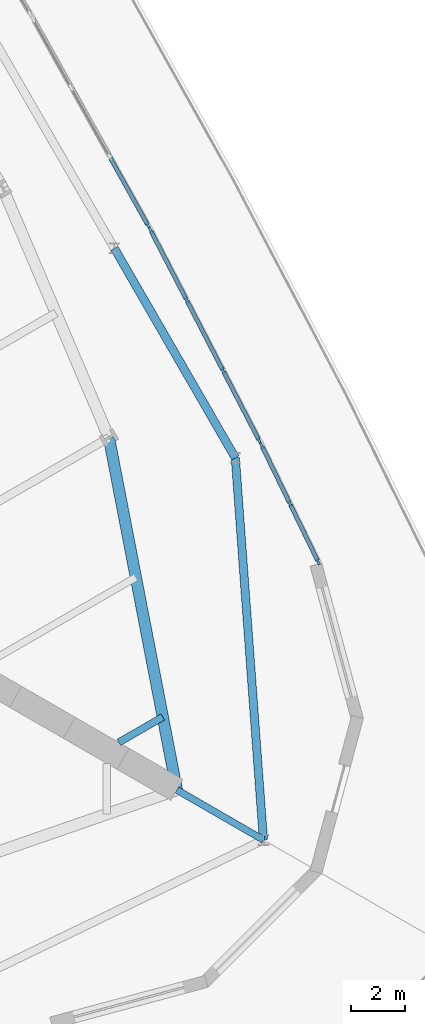
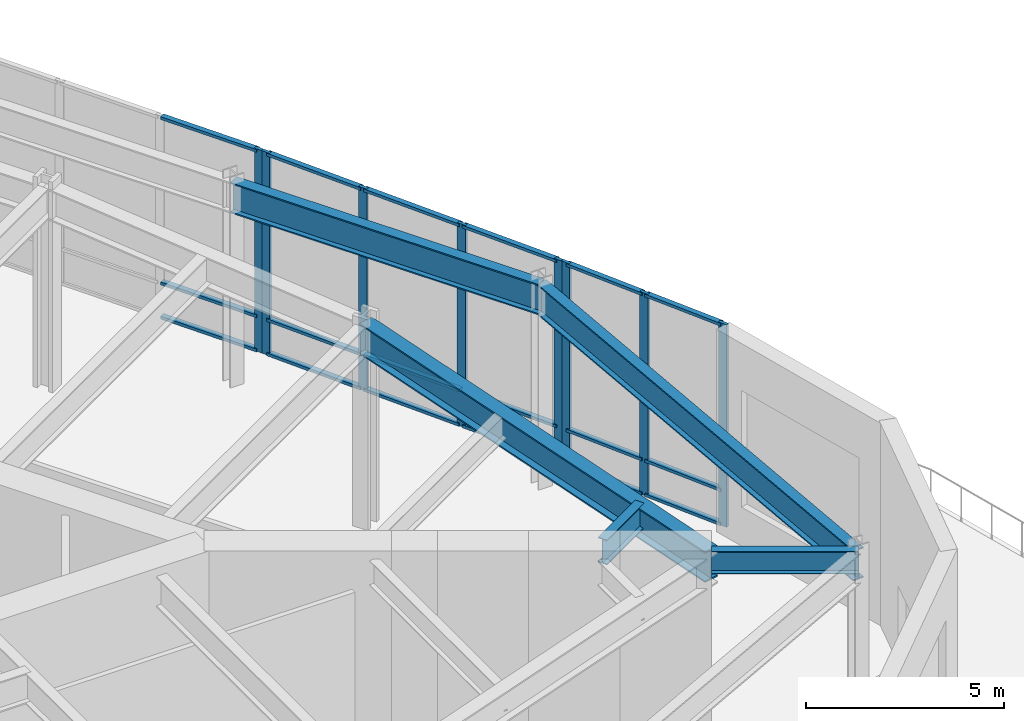
# One storey, part 8 of 19: 26 members, 5 beams, 3 elements without a shape of their own.
"""IFC4 building model written with IfcOpenShell, lengths in metres."""

from ifc_helpers import new_model, si_unit, direction, frame, origin, origin_2d, place, context, subcontext, project, spatial, rectangle, i_section, extrude, material, material_profile, profile_set, type_object, element, aggregate, save


model = new_model("IFC4")

# Units and contexts
model_context = context("Model", 3, precision=1e-05, world=origin(), true_north=direction((0.0, 1.0)))
body_context = subcontext(model_context, "Body", "Model", "MODEL_VIEW")
ifc_project = project(units=[si_unit("LENGTHUNIT", "METRE"), si_unit("AREAUNIT", "SQUARE_METRE"), si_unit("VOLUMEUNIT", "CUBIC_METRE"), si_unit("PLANEANGLEUNIT", "RADIAN"), si_unit("MASSUNIT", "GRAM", prefix="KILO")], contexts=[model_context])

# Site, building, storey
site_placement = place(None, origin())
site = spatial("IfcSite", under=ifc_project, at=site_placement, CompositionType="ELEMENT")
building_placement = place(site_placement, origin())
building = spatial("IfcBuilding", under=site, at=building_placement, Name="Trikona Tower", CompositionType="ELEMENT")
storey_placement = place(building_placement, frame((0.0, 0.0, 11.0)))
storey = spatial("IfcBuildingStorey", under=building, at=storey_placement, Name="L02", CompositionType="ELEMENT", Elevation=11.0)

# Curtain wall, members
ifc_material_1 = material(Name="Aluminium curtain wall system", Category="aluminium")
curtain_wall_type = type_object("IfcCurtainWallType", Name="Curtain wall PD", PredefinedType="NOTDEFINED", material=ifc_material_1)
curtain_wall_1_placement = place(storey_placement, origin())
curtain_wall_1 = element("IfcCurtainWall", 1, at=curtain_wall_1_placement, inside=storey, type_object=curtain_wall_type, Name="Curtain wall PD L02", PredefinedType="NOTDEFINED")
ifc_material_2 = material(Name="Aluminium mullion, pale anodised", Category="aluminium")
ifc_material_profile_1 = material_profile(ifc_material_2, rectangle(XDim=0.090087890625, YDim=0.25, at=origin_2d()), Name="MUL-PD")
ifc_profile_set_1 = profile_set([ifc_material_profile_1], Name="Aluminium mullion, pale anodised")
member_type_1 = type_object("IfcMemberType", Name="Mullion PD 90x250", PredefinedType="MULLION", material=ifc_profile_set_1)
member_1_placement = place(storey_placement, frame((32.864013671875, -7.454833984375, 0.0), z_axis=(0.0, 0.0, 1.0), x_axis=(-0.899398658731, -0.437129331746, 0.0)))
member_1 = element("IfcMember", 2, at=member_1_placement, type_object=member_type_1, Name="CW-PD mullion 1", PredefinedType="MULLION", context=body_context, shape_type="SweptSolid", body=[
    extrude(rectangle(XDim=0.090087890625, YDim=0.25, at=origin_2d()), origin(), (0.0, 0.0, 1.0), 6.25),
])
member_2_placement = place(storey_placement, frame((31.814453125, -5.295166015625, 0.0), z_axis=(0.0, 0.0, 1.0), x_axis=(-0.899398658731, -0.437129331746, 0.0)))
member_2 = element("IfcMember", 3, at=member_2_placement, type_object=member_type_1, Name="CW-PD mullion 2", PredefinedType="MULLION", context=body_context, shape_type="SweptSolid", body=[
    extrude(rectangle(XDim=0.090087890625, YDim=0.25, at=origin_2d()), origin(), (0.0, 0.0, 1.0), 6.25),
])
member_3_placement = place(storey_placement, frame((30.764892578125, -3.13525390625, 0.0), z_axis=(0.0, 0.0, 1.0), x_axis=(-0.899398658731, -0.437129331746, 0.0)))
member_3 = element("IfcMember", 4, at=member_3_placement, type_object=member_type_1, Name="CW-PD mullion 3", PredefinedType="MULLION", context=body_context, shape_type="SweptSolid", body=[
    extrude(rectangle(XDim=0.090087890625, YDim=0.25, at=origin_2d()), origin(), (0.0, 0.0, 1.0), 6.25),
])

curtain_wall_2_placement = place(storey_placement, origin())
curtain_wall_2 = element("IfcCurtainWall", 5, at=curtain_wall_2_placement, inside=storey, type_object=curtain_wall_type, Name="Curtain wall PD L02", PredefinedType="NOTDEFINED")
member_4_placement = place(storey_placement, frame((30.671630859375, -2.94970703125, 0.0), z_axis=(0.0, 0.0, 1.0), x_axis=(-0.88852451172, -0.458829153469, 0.0)))
member_4 = element("IfcMember", 6, at=member_4_placement, type_object=member_type_1, Name="CW-PD mullion 1", PredefinedType="MULLION", context=body_context, shape_type="SweptSolid", body=[
    extrude(rectangle(XDim=0.090087890625, YDim=0.25, at=origin_2d()), origin(), (0.0, 0.0, 1.0), 6.25),
])
member_5_placement = place(storey_placement, frame((29.332763671875, -0.356689453125, 0.0), z_axis=(0.0, 0.0, 1.0), x_axis=(-0.88852451172, -0.458829153469, 0.0)))
member_5 = element("IfcMember", 7, at=member_5_placement, type_object=member_type_1, Name="CW-PD mullion 2", PredefinedType="MULLION", context=body_context, shape_type="SweptSolid", body=[
    extrude(rectangle(XDim=0.090087890625, YDim=0.25, at=origin_2d()), origin(), (0.0, 0.0, 1.0), 6.25),
])
member_6_placement = place(storey_placement, frame((27.97314453125, 2.276123046875, 0.0), z_axis=(0.0, 0.0, 1.0), x_axis=(-0.88852451172, -0.458829153469, 0.0)))
member_6 = element("IfcMember", 8, at=member_6_placement, type_object=member_type_1, Name="CW-PD mullion 3", PredefinedType="MULLION", context=body_context, shape_type="SweptSolid", body=[
    extrude(rectangle(XDim=0.090087890625, YDim=0.25, at=origin_2d()), origin(), (0.0, 0.0, 1.0), 6.25),
])
member_7_placement = place(storey_placement, frame((26.634033203125, 4.869140625, 0.0), z_axis=(0.0, 0.0, 1.0), x_axis=(-0.88852451172, -0.458829153469, 0.0)))
member_7 = element("IfcMember", 9, at=member_7_placement, type_object=member_type_1, Name="CW-PD mullion 4", PredefinedType="MULLION", context=body_context, shape_type="SweptSolid", body=[
    extrude(rectangle(XDim=0.090087890625, YDim=0.25, at=origin_2d()), origin(), (0.0, 0.0, 1.0), 6.25),
])

# Curtain wall, member
curtain_wall_3_placement = place(storey_placement, origin())
curtain_wall_3 = element("IfcCurtainWall", 10, at=curtain_wall_3_placement, inside=storey, type_object=curtain_wall_type, Name="Curtain wall PD L02", PredefinedType="NOTDEFINED")
member_8_placement = place(storey_placement, frame((26.5361328125, 5.051513671875, 0.0), z_axis=(0.0, 0.0, 1.0), x_axis=(-0.873743206518, -0.486387509156, 0.0)))
member_8 = element("IfcMember", 11, at=member_8_placement, type_object=member_type_1, Name="CW-PD mullion 1", PredefinedType="MULLION", context=body_context, shape_type="SweptSolid", body=[
    extrude(rectangle(XDim=0.090087890625, YDim=0.25, at=origin_2d()), origin(), (0.0, 0.0, 1.0), 6.25),
])

# Beams
ifc_material_3 = material(Name="Steel ASTM A992 Grade 50", Category="steel")
ifc_material_profile_2 = material_profile(ifc_material_3, i_section(OverallWidth=0.25390625, OverallDepth=0.683349609375, WebThickness=0.012451171875, FlangeThickness=0.01904296875, at=origin_2d()), Name="W27X94")
ifc_profile_set_2 = profile_set([ifc_material_profile_2], Name="Steel ASTM A992 Grade 50")
beam_type_1 = type_object("IfcBeamType", Name="Steel beam W27x94 (pod radial)", PredefinedType="BEAM", material=ifc_profile_set_2)
beam_1_placement = place(storey_placement, frame((27.612060546875, -15.94189453125, 5.908447265625), z_axis=(0.866031337506, -0.499989722352, 0.0), x_axis=(0.499989722352, 0.866031337506, 0.0)))
element("IfcBeam", 12, at=beam_1_placement, inside=storey, type_object=beam_type_1, Name="Podium beam L03 RKK0D35.6", PredefinedType="BEAM", context=body_context, shape_type="SweptSolid", body=[
    extrude(i_section(OverallWidth=0.25390625, OverallDepth=0.683349609375, WebThickness=0.012451171875, FlangeThickness=0.01904296875, at=origin_2d()), origin(), (0.0, 0.0, 1.0), 3.71630859375),
])
ifc_material_4 = material(Name="Steel ASTM A992 Grade 50", Category="steel")
ifc_material_profile_3 = material_profile(ifc_material_4, i_section(OverallWidth=0.2666015625, OverallDepth=0.76953125, WebThickness=0.015625, FlangeThickness=0.025390625, at=origin_2d()), Name="W30X132")
ifc_profile_set_3 = profile_set([ifc_material_profile_3], Name="Steel ASTM A992 Grade 50")
beam_type_2 = type_object("IfcBeamType", Name="Steel beam W30x132 (wedge)", PredefinedType="BEAM", material=ifc_profile_set_3)
beam_2_placement = place(storey_placement, frame((25.449951171875, -14.173828125, 5.865234375), z_axis=(0.866065156741, 0.499931139538, 0.0), x_axis=(-0.499931139538, 0.866065156741, 0.0)))
element("IfcBeam", 13, at=beam_2_placement, inside=storey, type_object=beam_type_2, Name="Floor beam L03 F2 u-25", PredefinedType="BEAM", context=body_context, shape_type="SweptSolid", body=[
    extrude(i_section(OverallWidth=0.2666015625, OverallDepth=0.76953125, WebThickness=0.015625, FlangeThickness=0.025390625, at=origin_2d()), origin(), (0.0, 0.0, 1.0), 1.890380859375),
])
ifc_material_5 = material(Name="Steel ASTM A992 Grade 50", Category="steel")
ifc_material_profile_4 = material_profile(ifc_material_5, i_section(OverallWidth=0.307373046875, OverallDepth=0.9423828125, WebThickness=0.022216796875, FlangeThickness=0.039794921875, at=origin_2d()), Name="W36X232")
ifc_profile_set_4 = profile_set([ifc_material_profile_4], Name="Steel ASTM A992 Grade 50")
beam_type_3 = type_object("IfcBeamType", Name="Steel beam W36x232 (ballroom)", PredefinedType="BEAM", material=ifc_profile_set_4)
beam_3_placement = place(storey_placement, frame((29.78466796875, -3.58837890625, 5.77880859375), z_axis=(-0.5000018851, 0.866024315419, 0.0), x_axis=(-0.866024315419, -0.5000018851, 0.0)))
element("IfcBeam", 14, at=beam_3_placement, inside=storey, type_object=beam_type_3, Name="Podium beam L03 GR24F1m18-R24F1m9", PredefinedType="BEAM", context=body_context, shape_type="SweptSolid", body=[
    extrude(i_section(OverallWidth=0.307373046875, OverallDepth=0.9423828125, WebThickness=0.022216796875, FlangeThickness=0.039794921875, at=origin_2d()), origin(), (0.0, 0.0, 1.0), 9.0),
])
beam_4_placement = place(storey_placement, frame((30.83056640625, -17.800048828125, 5.77880859375), z_axis=(-0.073395845647, 0.997302887714, 0.0), x_axis=(-0.997302887714, -0.073395845647, 0.0)))
element("IfcBeam", 15, at=beam_4_placement, inside=storey, type_object=beam_type_3, Name="Podium beam L03 CK0D35.6-R24F1m18", PredefinedType="BEAM", context=body_context, shape_type="SweptSolid", body=[
    extrude(i_section(OverallWidth=0.307373046875, OverallDepth=0.9423828125, WebThickness=0.022216796875, FlangeThickness=0.039794921875, at=origin_2d()), origin(), (0.0, 0.0, 1.0), 14.25),
])
ifc_material_6 = material(Name="Steel ASTM A992 Grade 50", Category="steel")
ifc_material_profile_5 = material_profile(ifc_material_6, i_section(OverallWidth=0.424072265625, OverallDepth=0.947509765625, WebThickness=0.02392578125, FlangeThickness=0.042724609375, at=origin_2d()), Name="W36X302")
ifc_profile_set_5 = profile_set([ifc_material_profile_5], Name="Steel ASTM A992 Grade 50")
beam_type_4 = type_object("IfcBeamType", Name="Steel beam W36x302 (pod tower spandrel)", PredefinedType="BEAM", material=ifc_profile_set_5)
beam_5_placement = place(storey_placement, frame((27.6103515625, -15.94091796875, 5.7763671875), z_axis=(-0.189405184036, 0.981899015307, 0.0), x_axis=(-0.981899015307, -0.189405184036, 0.0)))
element("IfcBeam", 16, at=beam_5_placement, inside=storey, type_object=beam_type_4, Name="Spandrel beam L03 F2-1", PredefinedType="BEAM", context=body_context, shape_type="SweptSolid", body=[
    extrude(i_section(OverallWidth=0.424072265625, OverallDepth=0.947509765625, WebThickness=0.02392578125, FlangeThickness=0.042724609375, at=origin_2d()), origin(), (0.0, 0.0, 1.0), 13.343505859375),
])

# Member
ifc_material_7 = material(Name="Aluminium transom, pale anodised", Category="aluminium")
ifc_material_profile_6 = material_profile(ifc_material_7, rectangle(XDim=0.14990234375, YDim=0.090087890625, at=origin_2d()), Name="TRN-PD")
ifc_profile_set_6 = profile_set([ifc_material_profile_6], Name="Aluminium transom, pale anodised")
member_type_2 = type_object("IfcMemberType", Name="Transom PD 90x150", PredefinedType="USERDEFINED", material=ifc_profile_set_6)
member_9_placement = place(storey_placement, frame((32.844482421875, -7.414306640625, 0.044921875), z_axis=(-0.437128621006, 0.899399004167, 0.0), x_axis=(-0.899399004167, -0.437128621006, 0.0)))
member_9 = element("IfcMember", 17, at=member_9_placement, type_object=member_type_2, Name="CW-PD transom 1.1", ObjectType="TRANSOM", PredefinedType="USERDEFINED", context=body_context, shape_type="SweptSolid", body=[
    extrude(rectangle(XDim=0.14990234375, YDim=0.090087890625, at=origin_2d()), origin(), (0.0, 0.0, 1.0), 2.31103515625),
])

member_10_placement = place(storey_placement, frame((32.844482421875, -7.414306640625, 1.10009765625), z_axis=(-0.437128621006, 0.899399004167, 0.0), x_axis=(-0.899399004167, -0.437128621006, 0.0)))
member_10 = element("IfcMember", 18, at=member_10_placement, type_object=member_type_2, Name="CW-PD transom 1.2", ObjectType="TRANSOM", PredefinedType="USERDEFINED", context=body_context, shape_type="SweptSolid", body=[
    extrude(rectangle(XDim=0.14990234375, YDim=0.090087890625, at=origin_2d()), origin(), (0.0, 0.0, 1.0), 2.31103515625),
])

member_11_placement = place(storey_placement, frame((32.844482421875, -7.414306640625, 6.205078125), z_axis=(-0.437128621006, 0.899399004167, 0.0), x_axis=(-0.899399004167, -0.437128621006, 0.0)))
member_11 = element("IfcMember", 19, at=member_11_placement, type_object=member_type_2, Name="CW-PD transom 1.3", ObjectType="TRANSOM", PredefinedType="USERDEFINED", context=body_context, shape_type="SweptSolid", body=[
    extrude(rectangle(XDim=0.14990234375, YDim=0.090087890625, at=origin_2d()), origin(), (0.0, 0.0, 1.0), 2.31103515625),
])

member_12_placement = place(storey_placement, frame((31.794677734375, -5.254638671875, 0.044921875), z_axis=(-0.437087092719, 0.899419186686, 0.0), x_axis=(-0.899419186686, -0.437087092719, 0.0)))
member_12 = element("IfcMember", 20, at=member_12_placement, type_object=member_type_2, Name="CW-PD transom 2.1", ObjectType="TRANSOM", PredefinedType="USERDEFINED", context=body_context, shape_type="SweptSolid", body=[
    extrude(rectangle(XDim=0.14990234375, YDim=0.090087890625, at=origin_2d()), origin(), (0.0, 0.0, 1.0), 2.311279296875),
])

member_13_placement = place(storey_placement, frame((31.794677734375, -5.254638671875, 1.10009765625), z_axis=(-0.437087092719, 0.899419186686, 0.0), x_axis=(-0.899419186686, -0.437087092719, 0.0)))
member_13 = element("IfcMember", 21, at=member_13_placement, type_object=member_type_2, Name="CW-PD transom 2.2", ObjectType="TRANSOM", PredefinedType="USERDEFINED", context=body_context, shape_type="SweptSolid", body=[
    extrude(rectangle(XDim=0.14990234375, YDim=0.090087890625, at=origin_2d()), origin(), (0.0, 0.0, 1.0), 2.311279296875),
])

member_14_placement = place(storey_placement, frame((31.794677734375, -5.254638671875, 6.205078125), z_axis=(-0.437087092719, 0.899419186686, 0.0), x_axis=(-0.899419186686, -0.437087092719, 0.0)))
member_14 = element("IfcMember", 22, at=member_14_placement, type_object=member_type_2, Name="CW-PD transom 2.3", ObjectType="TRANSOM", PredefinedType="USERDEFINED", context=body_context, shape_type="SweptSolid", body=[
    extrude(rectangle(XDim=0.14990234375, YDim=0.090087890625, at=origin_2d()), origin(), (0.0, 0.0, 1.0), 2.311279296875),
])

aggregate(curtain_wall_1, [member_1, member_2, member_3, member_9, member_10, member_11, member_12, member_13, member_14])

member_15_placement = place(storey_placement, frame((30.651123046875, -2.909912109375, 0.044921875), z_axis=(-0.458845181927, 0.888516234529, 0.0), x_axis=(-0.888516234529, -0.458845181927, 0.0)))
member_15 = element("IfcMember", 23, at=member_15_placement, type_object=member_type_2, Name="CW-PD transom 1.1", ObjectType="TRANSOM", PredefinedType="USERDEFINED", context=body_context, shape_type="SweptSolid", body=[
    extrude(rectangle(XDim=0.14990234375, YDim=0.090087890625, at=origin_2d()), origin(), (0.0, 0.0, 1.0), 2.82861328125),
])

member_16_placement = place(storey_placement, frame((30.651123046875, -2.909912109375, 1.10009765625), z_axis=(-0.458845181927, 0.888516234529, 0.0), x_axis=(-0.888516234529, -0.458845181927, 0.0)))
member_16 = element("IfcMember", 24, at=member_16_placement, type_object=member_type_2, Name="CW-PD transom 1.2", ObjectType="TRANSOM", PredefinedType="USERDEFINED", context=body_context, shape_type="SweptSolid", body=[
    extrude(rectangle(XDim=0.14990234375, YDim=0.090087890625, at=origin_2d()), origin(), (0.0, 0.0, 1.0), 2.82861328125),
])

member_17_placement = place(storey_placement, frame((30.651123046875, -2.909912109375, 6.205078125), z_axis=(-0.458845181927, 0.888516234529, 0.0), x_axis=(-0.888516234529, -0.458845181927, 0.0)))
member_17 = element("IfcMember", 25, at=member_17_placement, type_object=member_type_2, Name="CW-PD transom 1.3", ObjectType="TRANSOM", PredefinedType="USERDEFINED", context=body_context, shape_type="SweptSolid", body=[
    extrude(rectangle(XDim=0.14990234375, YDim=0.090087890625, at=origin_2d()), origin(), (0.0, 0.0, 1.0), 2.82861328125),
])

member_18_placement = place(storey_placement, frame((29.31201171875, -0.31689453125, 0.044921875), z_axis=(-0.458798735899, 0.888540218525, 0.0), x_axis=(-0.888540218525, -0.458798735899, 0.0)))
member_18 = element("IfcMember", 26, at=member_18_placement, type_object=member_type_2, Name="CW-PD transom 2.1", ObjectType="TRANSOM", PredefinedType="USERDEFINED", context=body_context, shape_type="SweptSolid", body=[
    extrude(rectangle(XDim=0.14990234375, YDim=0.090087890625, at=origin_2d()), origin(), (0.0, 0.0, 1.0), 2.87353515625),
])

member_19_placement = place(storey_placement, frame((29.31201171875, -0.31689453125, 1.10009765625), z_axis=(-0.458798735899, 0.888540218525, 0.0), x_axis=(-0.888540218525, -0.458798735899, 0.0)))
member_19 = element("IfcMember", 27, at=member_19_placement, type_object=member_type_2, Name="CW-PD transom 2.2", ObjectType="TRANSOM", PredefinedType="USERDEFINED", context=body_context, shape_type="SweptSolid", body=[
    extrude(rectangle(XDim=0.14990234375, YDim=0.090087890625, at=origin_2d()), origin(), (0.0, 0.0, 1.0), 2.87353515625),
])

member_20_placement = place(storey_placement, frame((29.31201171875, -0.31689453125, 6.205078125), z_axis=(-0.458798735899, 0.888540218525, 0.0), x_axis=(-0.888540218525, -0.458798735899, 0.0)))
member_20 = element("IfcMember", 28, at=member_20_placement, type_object=member_type_2, Name="CW-PD transom 2.3", ObjectType="TRANSOM", PredefinedType="USERDEFINED", context=body_context, shape_type="SweptSolid", body=[
    extrude(rectangle(XDim=0.14990234375, YDim=0.090087890625, at=origin_2d()), origin(), (0.0, 0.0, 1.0), 2.87353515625),
])

member_21_placement = place(storey_placement, frame((27.952392578125, 2.316162109375, 0.044921875), z_axis=(-0.45877703634, 0.888551422782, 0.0), x_axis=(-0.888551422782, -0.45877703634, 0.0)))
member_21 = element("IfcMember", 29, at=member_21_placement, type_object=member_type_2, Name="CW-PD transom 3.1", ObjectType="TRANSOM", PredefinedType="USERDEFINED", context=body_context, shape_type="SweptSolid", body=[
    extrude(rectangle(XDim=0.14990234375, YDim=0.090087890625, at=origin_2d()), origin(), (0.0, 0.0, 1.0), 2.828369140625),
])

member_22_placement = place(storey_placement, frame((27.952392578125, 2.316162109375, 1.10009765625), z_axis=(-0.45877703634, 0.888551422782, 0.0), x_axis=(-0.888551422782, -0.45877703634, 0.0)))
member_22 = element("IfcMember", 30, at=member_22_placement, type_object=member_type_2, Name="CW-PD transom 3.2", ObjectType="TRANSOM", PredefinedType="USERDEFINED", context=body_context, shape_type="SweptSolid", body=[
    extrude(rectangle(XDim=0.14990234375, YDim=0.090087890625, at=origin_2d()), origin(), (0.0, 0.0, 1.0), 2.828369140625),
])

member_23_placement = place(storey_placement, frame((27.952392578125, 2.316162109375, 6.205078125), z_axis=(-0.45877703634, 0.888551422782, 0.0), x_axis=(-0.888551422782, -0.45877703634, 0.0)))
member_23 = element("IfcMember", 31, at=member_23_placement, type_object=member_type_2, Name="CW-PD transom 3.3", ObjectType="TRANSOM", PredefinedType="USERDEFINED", context=body_context, shape_type="SweptSolid", body=[
    extrude(rectangle(XDim=0.14990234375, YDim=0.090087890625, at=origin_2d()), origin(), (0.0, 0.0, 1.0), 2.828369140625),
])

aggregate(curtain_wall_2, [member_4, member_5, member_6, member_7, member_15, member_16, member_17, member_18, member_19, member_20, member_21, member_22, member_23])

member_24_placement = place(storey_placement, frame((26.514404296875, 5.0908203125, 0.044921875), z_axis=(-0.486420458667, 0.873724863667, 0.0), x_axis=(-0.873724863667, -0.486420458667, 0.0)))
member_24 = element("IfcMember", 32, at=member_24_placement, type_object=member_type_2, Name="CW-PD transom 1.1", ObjectType="TRANSOM", PredefinedType="USERDEFINED", context=body_context, shape_type="SweptSolid", body=[
    extrude(rectangle(XDim=0.14990234375, YDim=0.090087890625, at=origin_2d()), origin(), (0.0, 0.0, 1.0), 2.8251953125),
])

member_25_placement = place(storey_placement, frame((26.514404296875, 5.0908203125, 1.10009765625), z_axis=(-0.486420458667, 0.873724863667, 0.0), x_axis=(-0.873724863667, -0.486420458667, 0.0)))
member_25 = element("IfcMember", 33, at=member_25_placement, type_object=member_type_2, Name="CW-PD transom 1.2", ObjectType="TRANSOM", PredefinedType="USERDEFINED", context=body_context, shape_type="SweptSolid", body=[
    extrude(rectangle(XDim=0.14990234375, YDim=0.090087890625, at=origin_2d()), origin(), (0.0, 0.0, 1.0), 2.8251953125),
])

member_26_placement = place(storey_placement, frame((26.514404296875, 5.0908203125, 6.205078125), z_axis=(-0.486420458667, 0.873724863667, 0.0), x_axis=(-0.873724863667, -0.486420458667, 0.0)))
member_26 = element("IfcMember", 34, at=member_26_placement, type_object=member_type_2, Name="CW-PD transom 1.3", ObjectType="TRANSOM", PredefinedType="USERDEFINED", context=body_context, shape_type="SweptSolid", body=[
    extrude(rectangle(XDim=0.14990234375, YDim=0.090087890625, at=origin_2d()), origin(), (0.0, 0.0, 1.0), 2.8251953125),
])

aggregate(curtain_wall_3, [member_8, member_24, member_25, member_26])

save(model, "model.ifc")
